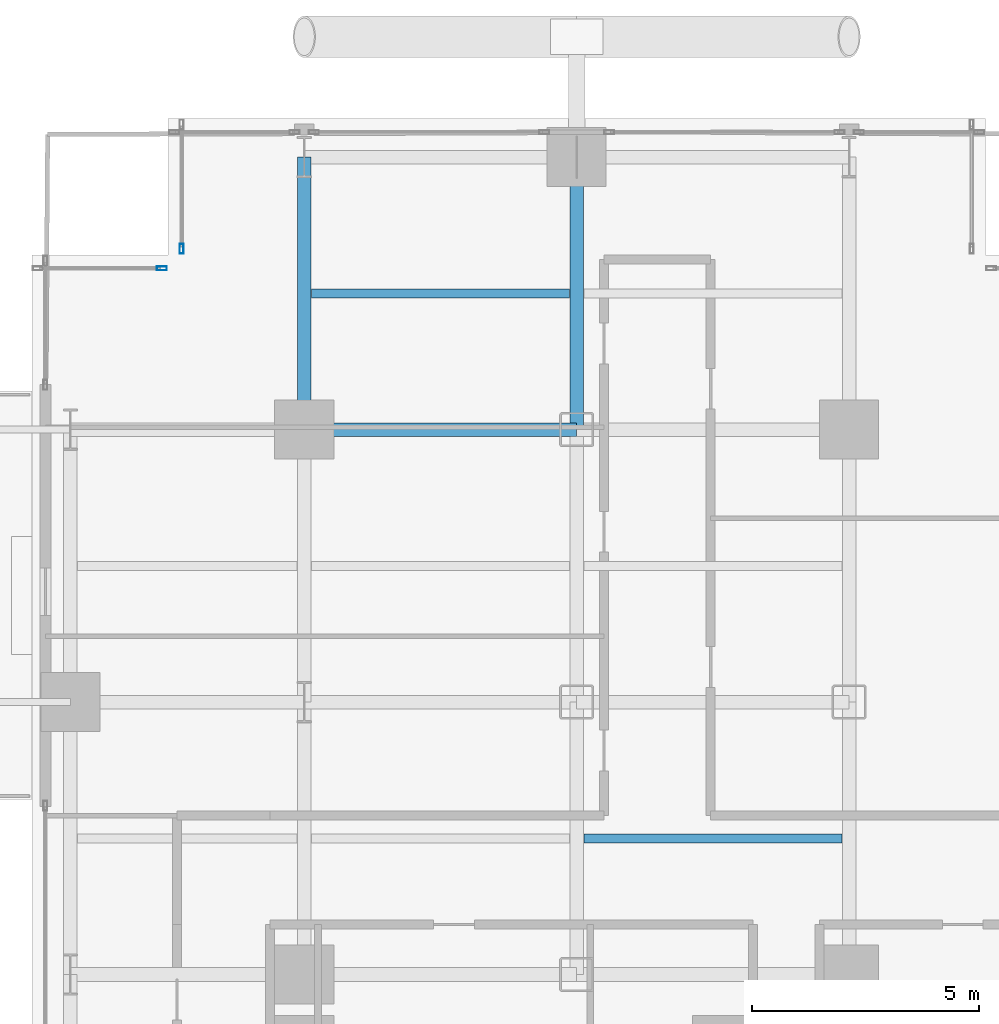
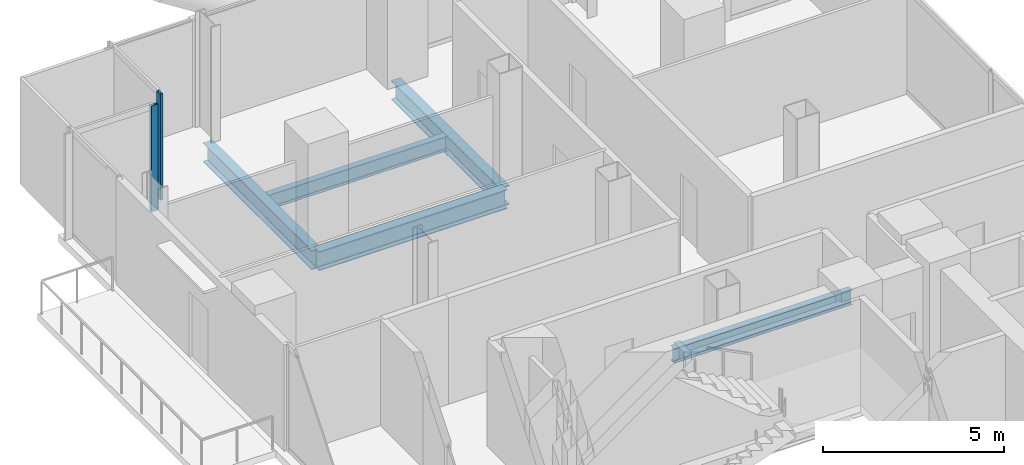
# One storey, part 14 of 27: 5 beams, 2 members, 2 elements without a shape of their own.
"""IFC4 building model written with IfcOpenShell, lengths in metres."""

from ifc_helpers import new_model, si_unit, direction, frame, origin, origin_2d, place, context, subcontext, project, spatial, hollow_rectangle, i_section, extrude, material, layer, layer_set, material_profile, profile_set, type_object, element, aggregate, save


model = new_model("IFC4")

# Units and contexts
model_context = context("Model", 3, precision=1e-05, world=origin(), true_north=direction((0.0, 1.0)))
body_context = subcontext(model_context, "Body", "Model", "MODEL_VIEW")
ifc_project = project(units=[si_unit("LENGTHUNIT", "METRE"), si_unit("AREAUNIT", "SQUARE_METRE"), si_unit("VOLUMEUNIT", "CUBIC_METRE"), si_unit("PLANEANGLEUNIT", "RADIAN"), si_unit("MASSUNIT", "GRAM", prefix="KILO"), si_unit("THERMODYNAMICTEMPERATUREUNIT", "KELVIN"), si_unit("POWERUNIT", "WATT")], contexts=[model_context])

# Site, building, storey
site_placement = place(None, origin())
site = spatial("IfcSite", under=ifc_project, at=site_placement, CompositionType="ELEMENT")
building_placement = place(site_placement, origin())
building = spatial("IfcBuilding", under=site, at=building_placement, Name="Svarakhadi Broadcast Tower", CompositionType="ELEMENT")
storey_placement = place(building_placement, frame((0.0, 0.0, 90.89990234375)))
storey = spatial("IfcBuildingStorey", under=building, at=storey_placement, Name="L21", CompositionType="ELEMENT", Elevation=90.89990234375)

# Beams
ifc_material_1 = material(Name="Steel S355J2 (IS 2062 E350C)", Category="steel")
ifc_material_profile_1 = material_profile(ifc_material_1, i_section(OverallWidth=0.199951171875, OverallDepth=0.5, WebThickness=0.01025390625, FlangeThickness=0.01611328125, FilletRadius=0.02099609375, at=origin_2d()), Name="NPB 500x200x91")
ifc_profile_set_1 = profile_set([ifc_material_profile_1], Name="Steel S355J2 (IS 2062 E350C)")
beam_type_1 = type_object("IfcBeamType", Name="Beam_NPB500", PredefinedType="BEAM", material=ifc_profile_set_1)
for number, where, z_axis, x_axis, name in (
    (1, (6.159912109375, 44.14990234375, -0.5), (1.0, 0.0, 0.0), (0.0, 1.0, 0.0), "L21 Secondary Composite Beam SB012"),
    (2, (12.159912109375, 32.14990234375, -0.5), (1.0, 0.0, 0.0), (0.0, 1.0, 0.0), "L21 Secondary Composite Beam SB016"),
):
    element("IfcBeam", number, at=place(storey_placement, frame(where, z_axis=z_axis, x_axis=x_axis)), inside=storey, type_object=beam_type_1, Name=name, PredefinedType="BEAM", context=body_context, shape_type="SweptSolid", body=[
        extrude(i_section(OverallWidth=0.199951171875, OverallDepth=0.5, WebThickness=0.01025390625, FlangeThickness=0.01611328125, FilletRadius=0.02099609375, at=origin_2d()), origin(), (0.0, 0.0, 1.0), 5.68017578125),
    ])

# Curtain wall, member
ifc_material_2 = material(Name="Anodised Bronze Aluminium AA 6063-T6", Category="aluminium")
ifc_layer = layer(ifc_material_2, 0.219970703125)
ifc_layer_set = layer_set([ifc_layer], Name="Anodised Bronze Aluminium AA 6063-T6")
curtain_wall_type = type_object("IfcCurtainWallType", Name="CW_Sys_02", PredefinedType="NOTDEFINED", material=ifc_layer_set)
curtain_wall_1_placement = place(storey_placement, origin())
curtain_wall_1 = element("IfcCurtainWall", 3, at=curtain_wall_1_placement, inside=storey, type_object=curtain_wall_type, Name="L21 Unitised Facade Curtain Wall 04", PredefinedType="NOTDEFINED")
ifc_material_profile_2 = material_profile(ifc_material_2, hollow_rectangle(XDim=0.0849609375, YDim=0.219970703125, WallThickness=0.006103515625, at=origin_2d()), Name="ALU MULLION 220x85x6")
ifc_profile_set_2 = profile_set([ifc_material_profile_2], Name="Anodised Bronze Aluminium AA 6063-T6")
member_type = type_object("IfcMemberType", Name="CW_Sys_02_Mul", PredefinedType="MULLION", material=ifc_profile_set_2)
member_1_placement = place(storey_placement, frame((2.867431640625, 44.699951171875, 0.0), z_axis=(0.0, 0.0, 1.0), x_axis=(0.0, 1.0, 0.0)))
member_1 = element("IfcMember", 4, at=member_1_placement, type_object=member_type, Name="CW-02 mullion 2", PredefinedType="MULLION", context=body_context, shape_type="SweptSolid", body=[
    extrude(hollow_rectangle(XDim=0.0849609375, YDim=0.219970703125, WallThickness=0.006103515625, at=origin_2d()), origin(), (0.0, 0.0, 1.0), 3.5751953125),
])
aggregate(curtain_wall_1, [member_1])

curtain_wall_2_placement = place(storey_placement, origin())
curtain_wall_2 = element("IfcCurtainWall", 5, at=curtain_wall_2_placement, inside=storey, type_object=curtain_wall_type, Name="L21 Unitised Facade Curtain Wall 05", PredefinedType="NOTDEFINED")
member_2_placement = place(storey_placement, frame((3.300048828125, 45.132568359375, 0.0), z_axis=(0.0, 0.0, 1.0), x_axis=(-1.0, 0.0, 0.0)))
member_2 = element("IfcMember", 6, at=member_2_placement, type_object=member_type, Name="CW-02 mullion 1", PredefinedType="MULLION", context=body_context, shape_type="SweptSolid", body=[
    extrude(hollow_rectangle(XDim=0.0849609375, YDim=0.219970703125, WallThickness=0.006103515625, at=origin_2d()), origin(), (0.0, 0.0, 1.0), 3.5751953125),
])
aggregate(curtain_wall_2, [member_2])

# Beams
ifc_material_profile_3 = material_profile(ifc_material_1, i_section(OverallWidth=0.300048828125, OverallDepth=0.64990234375, WebThickness=0.01611328125, FlangeThickness=0.031005859375, FilletRadius=0.027099609375, at=origin_2d()), Name="WPB 650x300x225")
ifc_profile_set_3 = profile_set([ifc_material_profile_3], Name="Steel S355J2 (IS 2062 E350C)")
beam_type_2 = type_object("IfcBeamType", Name="Girder_WPB650", PredefinedType="USERDEFINED", material=ifc_profile_set_3)
for number, where, z_axis, x_axis, name in (
    (7, (6.0, 41.14990234375, -0.574951171875), (1.0, 0.0, 0.0), (0.0, 1.0, 0.0), "L21 Primary E-W Girder G041"),
    (8, (6.0, 41.14990234375, -0.574951171875), (0.0, 1.0, 0.0), (-1.0, 0.0, 0.0), "L21 Primary N-S Girder G057"),
    (9, (12.0, 41.14990234375, -0.574951171875), (0.0, 1.0, 0.0), (-1.0, 0.0, 0.0), "L21 Primary N-S Girder G063"),
):
    element("IfcBeam", number, at=place(storey_placement, frame(where, z_axis=z_axis, x_axis=x_axis)), inside=storey, type_object=beam_type_2, Name=name, ObjectType="GIRDER", PredefinedType="USERDEFINED", context=body_context, shape_type="SweptSolid", body=[
        extrude(i_section(OverallWidth=0.300048828125, OverallDepth=0.64990234375, WebThickness=0.01611328125, FlangeThickness=0.031005859375, FilletRadius=0.027099609375, at=origin_2d()), origin(), (0.0, 0.0, 1.0), 6.0),
    ])

save(model, "model.ifc")
